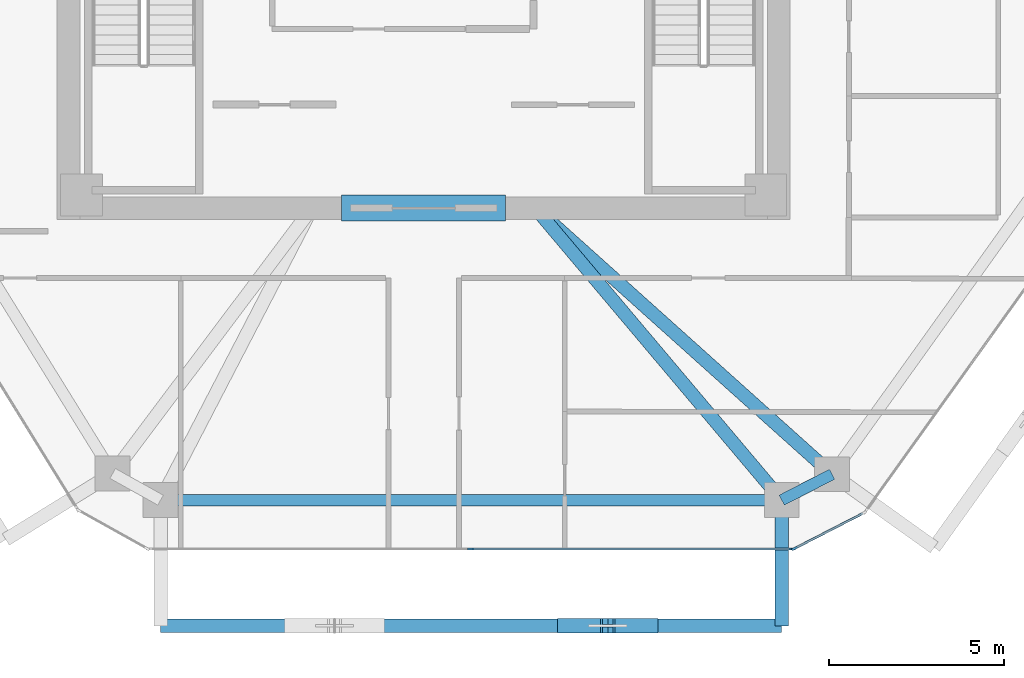
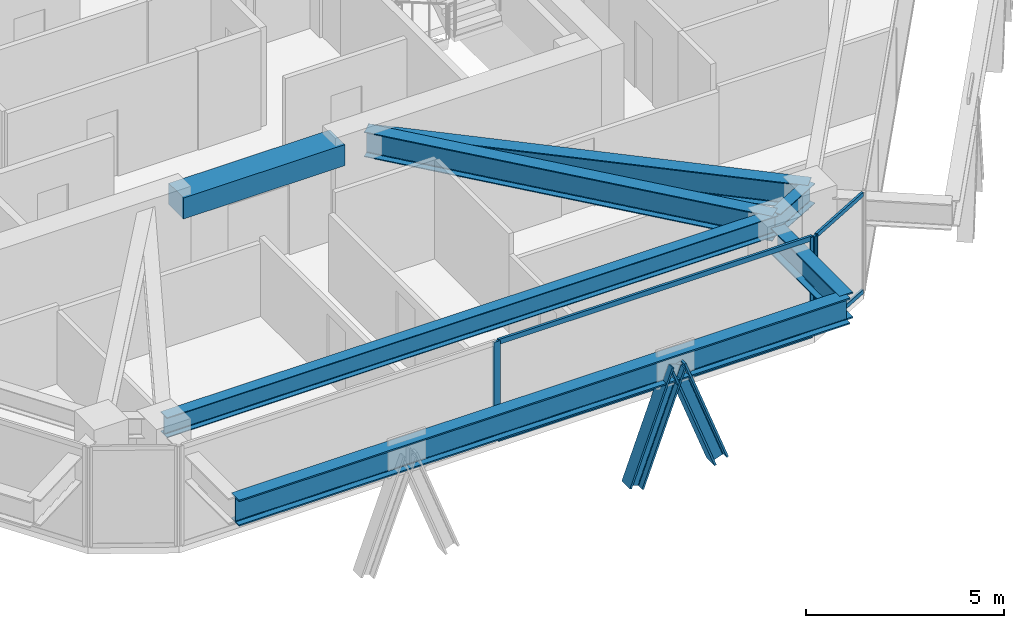
# One storey, part 3 of 14: 9 members, 7 beams, 2 elements without a shape of their own.
"""IFC4 building model written with IfcOpenShell, lengths in metres."""

from ifc_helpers import new_model, si_unit, direction, frame, origin, origin_2d, place, context, subcontext, project, spatial, rectangle, i_section, extrude, source, transform, mapped, material, layer, layer_set, material_profile, profile_set, type_object, type_shapes, element, aggregate, save


model = new_model("IFC4")

# Units and contexts
model_context = context("Model", 3, precision=1e-05, world=origin(), true_north=direction((0.0, 1.0)))
body_context = subcontext(model_context, "Body", "Model", "MODEL_VIEW")
ifc_project = project(units=[si_unit("LENGTHUNIT", "METRE"), si_unit("AREAUNIT", "SQUARE_METRE"), si_unit("VOLUMEUNIT", "CUBIC_METRE"), si_unit("PLANEANGLEUNIT", "RADIAN"), si_unit("MASSUNIT", "GRAM", prefix="KILO")], contexts=[model_context])

# Site, building, storey
site_placement = place(None, origin())
site = spatial("IfcSite", under=ifc_project, at=site_placement, CompositionType="ELEMENT")
building_placement = place(site_placement, origin())
building = spatial("IfcBuilding", under=site, at=building_placement, Name="Durnholm Broadcast Tower", CompositionType="ELEMENT")
storey_placement = place(building_placement, frame((0.0, 0.0, 187.0)))
storey = spatial("IfcBuildingStorey", under=building, at=storey_placement, Name="L51", CompositionType="ELEMENT", Elevation=187.0)

# Beams
ifc_material_1 = material(Name="Concrete C70/85", Category="concrete")
ifc_material_profile_1 = material_profile(ifc_material_1, rectangle(XDim=0.75, YDim=0.64990234375, at=origin_2d()), Name="RC750X650")
ifc_profile_set_1 = profile_set([ifc_material_profile_1], Name="Concrete C70/85")
beam_type_1 = type_object("IfcBeamType", Name="BM-CB-RC650", PredefinedType="LINTEL", material=ifc_profile_set_1)
shared_shape_1 = source(origin(), body_context, "Body", "SweptSolid", [
    extrude(rectangle(XDim=0.75, YDim=0.64990234375, at=origin_2d()), origin(), (0.0, 0.0, 1.0), 4.7001953125),
])
type_shapes(beam_type_1, [shared_shape_1])
beam_1_placement = place(storey_placement, frame((-2.35009765625, -8.175048828125, 2.72998046875), z_axis=(1.0, 0.0, 0.0), x_axis=(0.0, 1.0, 0.0)))
element("IfcBeam", 1, at=beam_1_placement, inside=storey, type_object=beam_type_1, Name="L51 south core coupling lintel beam CB-S", PredefinedType="LINTEL", context=body_context, shape_type="MappedRepresentation", body=[
    mapped(shared_shape_1, transform((0.0, 0.0, 0.0), x_axis=(1.0, 0.0, 0.0), y_axis=(0.0, 1.0, 0.0), z_axis=(0.0, 0.0, 1.0), scale=1.0)),
])
ifc_material_2 = material(Name="Steel ASTM A992 Grade 50", Category="steel")
ifc_material_profile_2 = material_profile(ifc_material_2, i_section(OverallWidth=0.385009765625, OverallDepth=0.802978515625, WebThickness=0.023681640625, FlangeThickness=0.0419921875, FilletRadius=0.032958984375, at=origin_2d()), Name="W30X261")
ifc_profile_set_2 = profile_set([ifc_material_profile_2], Name="Steel ASTM A992 Grade 50")
beam_type_2 = type_object("IfcBeamType", Name="BM-EXO-TIE", PredefinedType="USERDEFINED", material=ifc_profile_set_2)
shared_shape_2 = source(origin(), body_context, "Body", "SweptSolid", [
    extrude(i_section(OverallWidth=0.385009765625, OverallDepth=0.802978515625, WebThickness=0.023681640625, FlangeThickness=0.0419921875, FilletRadius=0.032958984375, at=origin_2d()), origin(), (0.0, 0.0, 1.0), 3.4560546875),
])
beam_2_placement = place(storey_placement, frame((10.256591796875, -16.68603515625, 2.30859375), z_axis=(0.0, -1.0, 0.0), x_axis=(1.0, 0.0, 0.0)))
element("IfcBeam", 2, at=beam_2_placement, inside=storey, type_object=beam_type_2, Name="L51 exoskeleton stand-off tie bracket F1.2", ObjectType="GIRDER", PredefinedType="USERDEFINED", context=body_context, shape_type="MappedRepresentation", body=[
    mapped(shared_shape_2, transform((0.0, 0.0, 0.0), x_axis=(1.0, 0.0, 0.0), y_axis=(0.0, 1.0, 0.0), z_axis=(0.0, 0.0, 1.0), scale=1.0)),
])
ifc_material_profile_3 = material_profile(ifc_material_2, i_section(OverallWidth=0.3251953125, OverallDepth=0.6162109375, WebThickness=0.013916015625, FlangeThickness=0.021484375, FilletRadius=0.02783203125, at=origin_2d()), Name="W24X117")
ifc_profile_set_3 = profile_set([ifc_material_profile_3], Name="Steel ASTM A992 Grade 50")
beam_type_3 = type_object("IfcBeamType", Name="STL-SP-W24X117", PredefinedType="SPANDREL", material=ifc_profile_set_3)
shared_shape_3 = source(origin(), body_context, "Body", "SweptSolid", [
    extrude(i_section(OverallWidth=0.3251953125, OverallDepth=0.6162109375, WebThickness=0.013916015625, FlangeThickness=0.021484375, FilletRadius=0.02783203125, at=origin_2d()), origin(), (0.0, 0.0, 1.0), 1.62255859375),
])
beam_3_placement = place(storey_placement, frame((11.69970703125, -15.80029296875, 2.73681640625), z_axis=(-0.889406668864, -0.45711680934, 0.0), x_axis=(0.45711680934, -0.889406668864, 0.0)))
element("IfcBeam", 3, at=beam_3_placement, inside=storey, type_object=beam_type_3, Name="L51 perimeter spandrel girder 10", PredefinedType="SPANDREL", context=body_context, shape_type="MappedRepresentation", body=[
    mapped(shared_shape_3, transform((0.0, 0.0, 0.0), x_axis=(1.0, 0.0, 0.0), y_axis=(0.0, 1.0, 0.0), z_axis=(0.0, 0.0, 1.0), scale=1.0)),
])
shared_shape_4 = source(origin(), body_context, "Body", "SweptSolid", [
    extrude(i_section(OverallWidth=0.3251953125, OverallDepth=0.6162109375, WebThickness=0.013916015625, FlangeThickness=0.021484375, FilletRadius=0.02783203125, at=origin_2d()), origin(), (0.0, 0.0, 1.0), 17.796142578125),
])
type_shapes(beam_type_3, [shared_shape_3, shared_shape_4])
beam_4_placement = place(storey_placement, frame((10.256591796875, -16.5419921875, 2.73681640625), z_axis=(-1.0, 0.0, 0.0), x_axis=(0.0, -1.0, 0.0)))
element("IfcBeam", 4, at=beam_4_placement, inside=storey, type_object=beam_type_3, Name="L51 perimeter spandrel girder 11", PredefinedType="SPANDREL", context=body_context, shape_type="MappedRepresentation", body=[
    mapped(shared_shape_4, transform((0.0, 0.0, 0.0), x_axis=(1.0, 0.0, 0.0), y_axis=(0.0, 1.0, 0.0), z_axis=(0.0, 0.0, 1.0), scale=1.0)),
])
shared_shape_5 = source(origin(), body_context, "Body", "SweptSolid", [
    extrude(i_section(OverallWidth=0.385009765625, OverallDepth=0.802978515625, WebThickness=0.023681640625, FlangeThickness=0.0419921875, FilletRadius=0.032958984375, at=origin_2d()), origin(), (0.0, 0.0, 1.0), 17.796142578125),
])
type_shapes(beam_type_2, [shared_shape_2, shared_shape_5])
beam_5_placement = place(storey_placement, frame((-7.53955078125, -20.14208984375, 2.30859375), z_axis=(1.0, 0.0, 0.0), x_axis=(0.0, 1.0, 0.0)))
element("IfcBeam", 5, at=beam_5_placement, inside=storey, type_object=beam_type_2, Name="L51 exoskeleton collector spandrel F1", PredefinedType="SPANDREL", context=body_context, shape_type="MappedRepresentation", body=[
    mapped(shared_shape_5, transform((0.0, 0.0, 0.0), x_axis=(1.0, 0.0, 0.0), y_axis=(0.0, 1.0, 0.0), z_axis=(0.0, 0.0, 1.0), scale=1.0)),
])
ifc_material_profile_4 = material_profile(ifc_material_2, i_section(OverallWidth=0.380615234375, OverallDepth=0.773193359375, WebThickness=0.0166015625, FlangeThickness=0.027099609375, FilletRadius=0.032958984375, at=origin_2d()), Name="W30X173")
ifc_profile_set_4 = profile_set([ifc_material_profile_4], Name="Steel ASTM A992 Grade 50")
beam_type_4 = type_object("IfcBeamType", Name="STL-GR-W30X173", PredefinedType="USERDEFINED", material=ifc_profile_set_4)
shared_shape_6 = source(origin(), body_context, "Body", "SweptSolid", [
    extrude(i_section(OverallWidth=0.380615234375, OverallDepth=0.773193359375, WebThickness=0.0166015625, FlangeThickness=0.027099609375, FilletRadius=0.032958984375, at=origin_2d()), origin(), (0.0, 0.0, 1.0), 11.4189453125),
])
beam_6_placement = place(storey_placement, frame((3.199951171875, -8.175048828125, 2.658447265625), z_axis=(0.744361631918, -0.667776729849, 0.0), x_axis=(0.667776729849, 0.744361631918, 0.0)))
element("IfcBeam", 6, at=beam_6_placement, inside=storey, type_object=beam_type_4, Name="L51 radial primary floor girder 10", ObjectType="GIRDER", PredefinedType="USERDEFINED", context=body_context, shape_type="MappedRepresentation", body=[
    mapped(shared_shape_6, transform((0.0, 0.0, 0.0), x_axis=(1.0, 0.0, 0.0), y_axis=(0.0, 1.0, 0.0), z_axis=(0.0, 0.0, 1.0), scale=1.0)),
])
shared_shape_7 = source(origin(), body_context, "Body", "SweptSolid", [
    extrude(i_section(OverallWidth=0.380615234375, OverallDepth=0.773193359375, WebThickness=0.0166015625, FlangeThickness=0.027099609375, FilletRadius=0.032958984375, at=origin_2d()), origin(), (0.0, 0.0, 1.0), 10.9453125),
])
type_shapes(beam_type_4, [shared_shape_6, shared_shape_7])
beam_7_placement = place(storey_placement, frame((3.199951171875, -8.175048828125, 2.658447265625), z_axis=(0.644712536066, -0.764425108065, 0.0), x_axis=(0.764425108065, 0.644712536066, 0.0)))
element("IfcBeam", 7, at=beam_7_placement, inside=storey, type_object=beam_type_4, Name="L51 radial primary floor girder 11", ObjectType="GIRDER", PredefinedType="USERDEFINED", context=body_context, shape_type="MappedRepresentation", body=[
    mapped(shared_shape_7, transform((0.0, 0.0, 0.0), x_axis=(1.0, 0.0, 0.0), y_axis=(0.0, 1.0, 0.0), z_axis=(0.0, 0.0, 1.0), scale=1.0)),
])

# Members
ifc_material_3 = material(Name="Steel ASTM A913 Grade 65", Category="steel")
ifc_material_profile_5 = material_profile(ifc_material_3, i_section(OverallWidth=0.412109375, OverallDepth=0.434814453125, WebThickness=0.035888671875, FlangeThickness=0.057373046875, FilletRadius=0.030517578125, at=origin_2d()), Name="W14X311")
ifc_profile_set_5 = profile_set([ifc_material_profile_5], Name="Steel ASTM A913 Grade 65")
member_type_1 = type_object("IfcMemberType", Name="STL-DG-W14X311", PredefinedType="BRACE", material=ifc_profile_set_5)
shared_shape_8 = source(origin(), body_context, "Body", "SweptSolid", [
    extrude(i_section(OverallWidth=0.412109375, OverallDepth=0.434814453125, WebThickness=0.035888671875, FlangeThickness=0.057373046875, FilletRadius=0.030517578125, at=origin_2d()), origin(), (0.0, 0.0, 1.0), 3.523193359375),
])
type_shapes(member_type_1, [shared_shape_8])
for number, where, z_axis, x_axis, name in (
    (8, (4.039794921875, -20.14208984375, -0.991455078125), (0.350219588454, 0.0, 0.936667625075), (0.0, 1.0, 0.0), "L51 stand-off diagrid brace F1.D2.1"),
    (9, (6.507568359375, -20.14208984375, -0.991455078125), (-0.350219588454, 0.0, 0.936667625075), (0.0, -1.0, 0.0), "L51 stand-off diagrid brace F1.D2.2"),
):
    element("IfcMember", number, at=place(storey_placement, frame(where, z_axis=z_axis, x_axis=x_axis)), inside=storey, type_object=member_type_1, Name=name, PredefinedType="BRACE", context=body_context, shape_type="MappedRepresentation", body=[
        mapped(shared_shape_8, transform((0.0, 0.0, 0.0), x_axis=(1.0, 0.0, 0.0), y_axis=(0.0, 1.0, 0.0), z_axis=(0.0, 0.0, 1.0), scale=1.0)),
    ])

# Curtain wall, members
ifc_material_4 = material(Name="Aluminium and Solar Control IGU", Category="aluminium")
ifc_layer_1 = layer(ifc_material_4, 0.1650390625)
ifc_layer_set_1 = layer_set([ifc_layer_1], Name="Aluminium and Solar Control IGU")
curtain_wall_type_1 = type_object("IfcCurtainWallType", Name="CW-SYS-5", PredefinedType="NOTDEFINED", material=ifc_layer_set_1)
curtain_wall_1_placement = place(storey_placement, origin())
curtain_wall_1 = element("IfcCurtainWall", 10, at=curtain_wall_1_placement, inside=storey, type_object=curtain_wall_type_1, Name="L51 curtain wall CW-CORNER CW-L51-CRN-09", PredefinedType="NOTDEFINED")
ifc_material_5 = material(Name="Aluminium 6063-T6", Category="aluminium")
ifc_material_profile_6 = material_profile(ifc_material_5, rectangle(XDim=0.06494140625, YDim=0.1650390625, at=origin_2d()), Name="CWM65X165")
ifc_profile_set_6 = profile_set([ifc_material_profile_6], Name="Aluminium 6063-T6")
member_type_2 = type_object("IfcMemberType", Name="CW-SYS-5-MUL", PredefinedType="MULLION", material=ifc_profile_set_6)
shared_shape_9 = source(origin(), body_context, "Body", "SweptSolid", [
    extrude(rectangle(XDim=0.06494140625, YDim=0.1650390625, at=origin_2d()), origin(), (0.0, 0.0, 1.0), 3.06005859375),
])
type_shapes(member_type_2, [shared_shape_9])
member_1_placement = place(storey_placement, frame((10.624267578125, -17.92724609375, 0.0), z_axis=(0.0, 0.0, 1.0), x_axis=(0.457081764476, -0.889424679545, 0.0)))
member_1 = element("IfcMember", 11, at=member_1_placement, type_object=member_type_2, Name="CW-CORNER mullion 2", PredefinedType="MULLION", context=body_context, shape_type="MappedRepresentation", body=[
    mapped(shared_shape_9, transform((0.0, 0.0, 0.0), x_axis=(1.0, 0.0, 0.0), y_axis=(0.0, 1.0, 0.0), z_axis=(0.0, 0.0, 1.0), scale=1.0)),
])
ifc_material_profile_7 = material_profile(ifc_material_5, rectangle(XDim=0.06494140625, YDim=0.1298828125, at=origin_2d()), Name="CWT65X130")
ifc_profile_set_7 = profile_set([ifc_material_profile_7], Name="Aluminium 6063-T6")
member_type_3 = type_object("IfcMemberType", Name="CW-SYS-5-TRN", PredefinedType="USERDEFINED", material=ifc_profile_set_7)
shared_shape_10 = source(origin(), body_context, "Body", "SweptSolid", [
    extrude(rectangle(XDim=0.06494140625, YDim=0.1298828125, at=origin_2d()), origin(), (0.0, 0.0, 1.0), 2.170166015625),
])
type_shapes(member_type_3, [shared_shape_10])
member_2_placement = place(storey_placement, frame((12.583251953125, -16.92041015625, 0.032470703125), z_axis=(-0.889422414772, -0.457086171417, 0.0), x_axis=(0.457086171417, -0.889422414772, 0.0)))
member_2 = element("IfcMember", 12, at=member_2_placement, type_object=member_type_3, Name="CW-CORNER transom 1.1", ObjectType="TRANSOM", PredefinedType="USERDEFINED", context=body_context, shape_type="MappedRepresentation", body=[
    mapped(shared_shape_10, transform((0.0, 0.0, 0.0), x_axis=(1.0, 0.0, 0.0), y_axis=(0.0, 1.0, 0.0), z_axis=(0.0, 0.0, 1.0), scale=1.0)),
])
member_3_placement = place(storey_placement, frame((12.583251953125, -16.92041015625, 3.027587890625), z_axis=(-0.889422414772, -0.457086171417, 0.0), x_axis=(0.457086171417, -0.889422414772, 0.0)))
member_3 = element("IfcMember", 13, at=member_3_placement, type_object=member_type_3, Name="CW-CORNER transom 1.2", ObjectType="TRANSOM", PredefinedType="USERDEFINED", context=body_context, shape_type="MappedRepresentation", body=[
    mapped(shared_shape_10, transform((0.0, 0.0, 0.0), x_axis=(1.0, 0.0, 0.0), y_axis=(0.0, 1.0, 0.0), z_axis=(0.0, 0.0, 1.0), scale=1.0)),
])
aggregate(curtain_wall_1, [member_1, member_2, member_3])

ifc_layer_2 = layer(ifc_material_4, 0.18994140625)
ifc_layer_set_2 = layer_set([ifc_layer_2], Name="Aluminium and Solar Control IGU")
curtain_wall_type_2 = type_object("IfcCurtainWallType", Name="CW-SYS-4", PredefinedType="NOTDEFINED", material=ifc_layer_set_2)
curtain_wall_2_placement = place(storey_placement, origin())
curtain_wall_2 = element("IfcCurtainWall", 14, at=curtain_wall_2_placement, inside=storey, type_object=curtain_wall_type_2, Name="L51 curtain wall CW-Z34-VIS CW-L51-F10", PredefinedType="NOTDEFINED")
ifc_material_profile_8 = material_profile(ifc_material_5, rectangle(XDim=0.070068359375, YDim=0.14990234375, at=origin_2d()), Name="CWT70X150")
ifc_profile_set_8 = profile_set([ifc_material_profile_8], Name="Aluminium 6063-T6")
member_type_4 = type_object("IfcMemberType", Name="CW-SYS-4-TRN", PredefinedType="USERDEFINED", material=ifc_profile_set_8)
shared_shape_11 = source(origin(), body_context, "Body", "SweptSolid", [
    extrude(rectangle(XDim=0.070068359375, YDim=0.14990234375, at=origin_2d()), origin(), (0.0, 0.0, 1.0), 9.14453125),
])
type_shapes(member_type_4, [shared_shape_11])
member_4_placement = place(storey_placement, frame((10.525390625, -17.94189453125, 0.034912109375), z_axis=(-1.0, 0.0, 0.0), x_axis=(0.0, -1.0, 0.0)))
member_4 = element("IfcMember", 15, at=member_4_placement, type_object=member_type_4, Name="CW-Z34-VIS transom 1.1", ObjectType="TRANSOM", PredefinedType="USERDEFINED", context=body_context, shape_type="MappedRepresentation", body=[
    mapped(shared_shape_11, transform((0.0, 0.0, 0.0), x_axis=(1.0, 0.0, 0.0), y_axis=(0.0, 1.0, 0.0), z_axis=(0.0, 0.0, 1.0), scale=1.0)),
])
member_5_placement = place(storey_placement, frame((10.525390625, -17.94189453125, 3.02490234375), z_axis=(-1.0, 0.0, 0.0), x_axis=(0.0, -1.0, 0.0)))
member_5 = element("IfcMember", 16, at=member_5_placement, type_object=member_type_4, Name="CW-Z34-VIS transom 1.2", ObjectType="TRANSOM", PredefinedType="USERDEFINED", context=body_context, shape_type="MappedRepresentation", body=[
    mapped(shared_shape_11, transform((0.0, 0.0, 0.0), x_axis=(1.0, 0.0, 0.0), y_axis=(0.0, 1.0, 0.0), z_axis=(0.0, 0.0, 1.0), scale=1.0)),
])
ifc_material_profile_9 = material_profile(ifc_material_5, rectangle(XDim=0.070068359375, YDim=0.18994140625, at=origin_2d()), Name="CWM70X190")
ifc_profile_set_9 = profile_set([ifc_material_profile_9], Name="Aluminium 6063-T6")
member_type_5 = type_object("IfcMemberType", Name="CW-SYS-4-MUL", PredefinedType="MULLION", material=ifc_profile_set_9)
shared_shape_12 = source(origin(), body_context, "Body", "SweptSolid", [
    extrude(rectangle(XDim=0.070068359375, YDim=0.18994140625, at=origin_2d()), origin(), (0.0, 0.0, 1.0), 3.06005859375),
])
type_shapes(member_type_5, [shared_shape_12])
member_6_placement = place(storey_placement, frame((10.560302734375, -17.94189453125, 0.0), z_axis=(0.0, 0.0, 1.0), x_axis=(0.0, -1.0, 0.0)))
member_6 = element("IfcMember", 17, at=member_6_placement, type_object=member_type_5, Name="CW-Z34-VIS mullion 1", PredefinedType="MULLION", context=body_context, shape_type="MappedRepresentation", body=[
    mapped(shared_shape_12, transform((0.0, 0.0, 0.0), x_axis=(1.0, 0.0, 0.0), y_axis=(0.0, 1.0, 0.0), z_axis=(0.0, 0.0, 1.0), scale=1.0)),
])
member_7_placement = place(storey_placement, frame((1.345947265625, -17.94189453125, 0.0), z_axis=(0.0, 0.0, 1.0), x_axis=(0.0, -1.0, 0.0)))
member_7 = element("IfcMember", 18, at=member_7_placement, type_object=member_type_5, Name="CW-Z34-VIS mullion 2", PredefinedType="MULLION", context=body_context, shape_type="MappedRepresentation", body=[
    mapped(shared_shape_12, transform((0.0, 0.0, 0.0), x_axis=(1.0, 0.0, 0.0), y_axis=(0.0, 1.0, 0.0), z_axis=(0.0, 0.0, 1.0), scale=1.0)),
])
aggregate(curtain_wall_2, [member_6, member_7, member_4, member_5])

save(model, "model.ifc")
